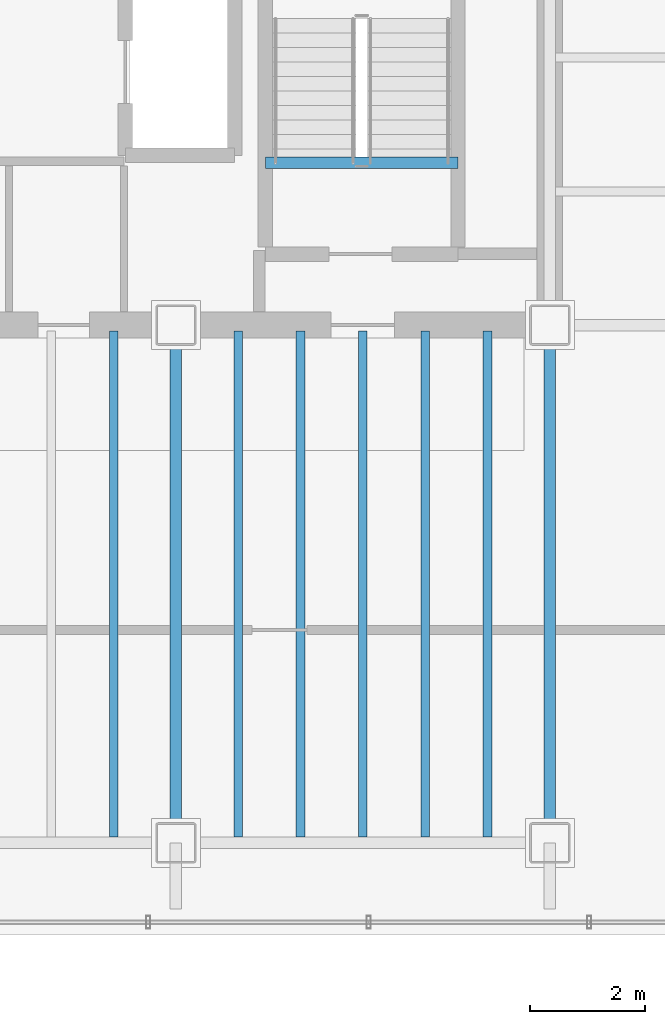
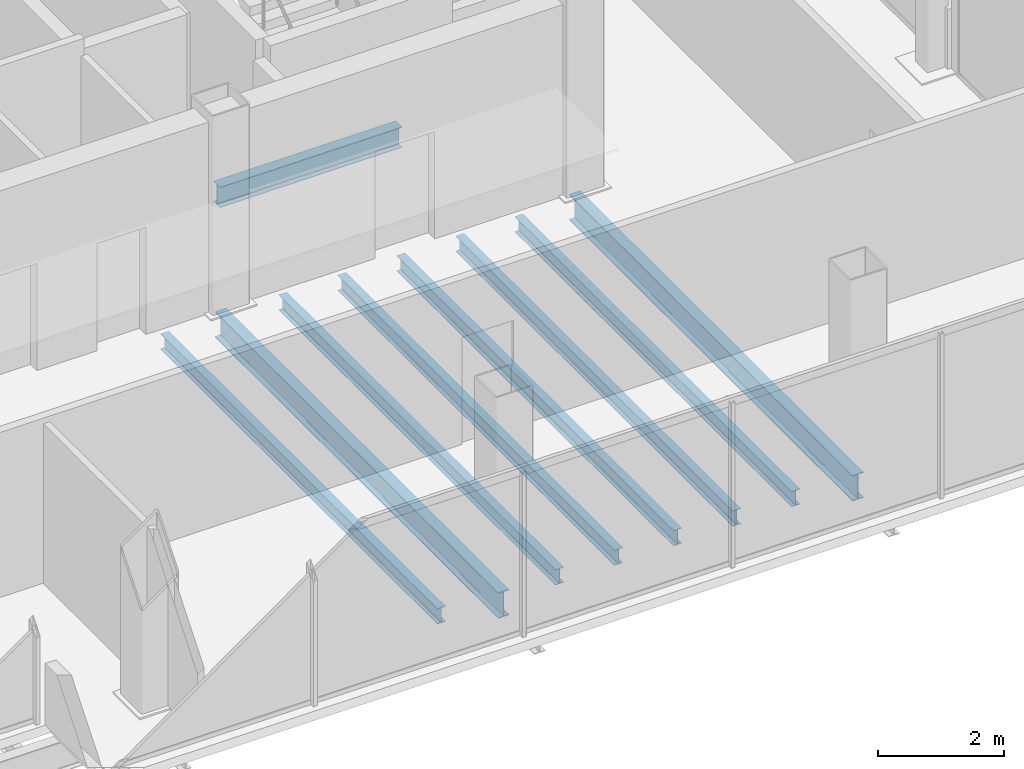
# One storey, part 8 of 17: 9 beams.
"""IFC4 building model written with IfcOpenShell, lengths in metres."""

from ifc_helpers import new_model, si_unit, direction, frame, origin, origin_2d, place, context, subcontext, project, spatial, i_section, extrude, material, material_profile, profile_set, type_object, element, save


model = new_model("IFC4")

# Units and contexts
model_context = context("Model", 3, precision=1e-05, world=origin(), true_north=direction((0.0, 1.0)))
body_context = subcontext(model_context, "Body", "Model", "MODEL_VIEW")
ifc_project = project(units=[si_unit("LENGTHUNIT", "METRE"), si_unit("AREAUNIT", "SQUARE_METRE"), si_unit("VOLUMEUNIT", "CUBIC_METRE"), si_unit("PLANEANGLEUNIT", "RADIAN"), si_unit("MASSUNIT", "GRAM", prefix="KILO")], contexts=[model_context])

# Site, building, storey
site_placement = place(None, origin())
site = spatial("IfcSite", under=ifc_project, at=site_placement, CompositionType="ELEMENT")
building_placement = place(site_placement, origin())
building = spatial("IfcBuilding", under=site, at=building_placement, Name="Noeulbin Bourse Tower", CompositionType="ELEMENT")
storey_placement = place(building_placement, frame((0.0, 0.0, 285.199951171875)))
storey = spatial("IfcBuildingStorey", under=building, at=storey_placement, Name="L71", CompositionType="ELEMENT", Elevation=285.199951171875)

# Beams
ifc_material = material(Name="Steel S355", Category="steel")
ifc_material_profile_1 = material_profile(ifc_material, i_section(OverallWidth=0.199951171875, OverallDepth=0.5, WebThickness=0.010009765625, FlangeThickness=0.01611328125, FilletRadius=0.02001953125, at=origin_2d()), Name="H-500x200x10x16", Category="LoadBearing")
ifc_profile_set_1 = profile_set([ifc_material_profile_1], Name="Steel S355")
beam_type_1 = type_object("IfcBeamType", Name="BM-GRD-500", PredefinedType="USERDEFINED", material=ifc_profile_set_1)
for number, where, z_axis, x_axis, name in (
    (1, (37.5, 20.0, -0.429931640625), (0.0, 1.0, 0.0), (-1.0, 0.0, 0.0), "Tower Primary Girder NS L71-4.2"),
    (2, (44.0, 20.0, -0.429931640625), (0.0, 1.0, 0.0), (-1.0, 0.0, 0.0), "Tower Primary Girder NS L71-5.2"),
):
    element("IfcBeam", number, at=place(storey_placement, frame(where, z_axis=z_axis, x_axis=x_axis)), inside=storey, type_object=beam_type_1, Name=name, ObjectType="GIRDER", PredefinedType="USERDEFINED", context=body_context, shape_type="SweptSolid", body=[
        extrude(i_section(OverallWidth=0.199951171875, OverallDepth=0.5, WebThickness=0.010009765625, FlangeThickness=0.01611328125, FilletRadius=0.02001953125, at=origin_2d()), origin(), (0.0, 0.0, 1.0), 9.0),
    ])
ifc_material_profile_2 = material_profile(ifc_material, i_section(OverallWidth=0.14990234375, OverallDepth=0.300048828125, WebThickness=0.006591796875, FlangeThickness=0.009033203125, FilletRadius=0.012939453125, at=origin_2d()), Name="H-300x150x6.5x9", Category="LoadBearing")
ifc_profile_set_2 = profile_set([ifc_material_profile_2], Name="Steel S355")
beam_type_2 = type_object("IfcBeamType", Name="BM-JST-300", PredefinedType="JOIST", material=ifc_profile_set_2)
for number, where, z_axis, x_axis, name in (
    (3, (36.416748046875, 20.10009765625, -0.329833984375), (0.0, 1.0, 0.0), (-1.0, 0.0, 0.0), "Tower Composite Joist L71-19"),
    (4, (38.583251953125, 20.10009765625, -0.329833984375), (0.0, 1.0, 0.0), (-1.0, 0.0, 0.0), "Tower Composite Joist L71-21"),
    (5, (39.666748046875, 20.10009765625, -0.329833984375), (0.0, 1.0, 0.0), (-1.0, 0.0, 0.0), "Tower Composite Joist L71-23"),
    (6, (40.75, 20.10009765625, -0.329833984375), (0.0, 1.0, 0.0), (-1.0, 0.0, 0.0), "Tower Composite Joist L71-25"),
    (7, (41.833251953125, 20.10009765625, -0.329833984375), (0.0, 1.0, 0.0), (-1.0, 0.0, 0.0), "Tower Composite Joist L71-27"),
    (8, (42.916748046875, 20.10009765625, -0.329833984375), (0.0, 1.0, 0.0), (-1.0, 0.0, 0.0), "Tower Composite Joist L71-29"),
):
    element("IfcBeam", number, at=place(storey_placement, frame(where, z_axis=z_axis, x_axis=x_axis)), inside=storey, type_object=beam_type_2, Name=name, PredefinedType="JOIST", context=body_context, shape_type="SweptSolid", body=[
        extrude(i_section(OverallWidth=0.14990234375, OverallDepth=0.300048828125, WebThickness=0.006591796875, FlangeThickness=0.009033203125, FilletRadius=0.012939453125, at=origin_2d()), origin(), (0.0, 0.0, 1.0), 8.7998046875),
    ])
ifc_material_profile_3 = material_profile(ifc_material, i_section(OverallWidth=0.199951171875, OverallDepth=0.39990234375, WebThickness=0.008056640625, FlangeThickness=0.012939453125, FilletRadius=0.01611328125, at=origin_2d()), Name="H-400x200x8x13", Category="LoadBearing")
ifc_profile_set_3 = profile_set([ifc_material_profile_3], Name="Steel S355")
beam_type_3 = type_object("IfcBeamType", Name="BM-SEC-400", PredefinedType="BEAM", material=ifc_profile_set_3)
beam_placement = place(storey_placement, frame((39.06005859375, 31.820068359375, -0.199951171875), z_axis=(1.0, 0.0, 0.0), x_axis=(0.0, 1.0, 0.0)))
element("IfcBeam", 9, at=beam_placement, inside=storey, type_object=beam_type_3, Name="Stair Threshold Trimmer Beam ST2-L71", PredefinedType="BEAM", context=body_context, shape_type="SweptSolid", body=[
    extrude(i_section(OverallWidth=0.199951171875, OverallDepth=0.39990234375, WebThickness=0.008056640625, FlangeThickness=0.012939453125, FilletRadius=0.01611328125, at=origin_2d()), origin(), (0.0, 0.0, 1.0), 3.33984375),
])

save(model, "model.ifc")
